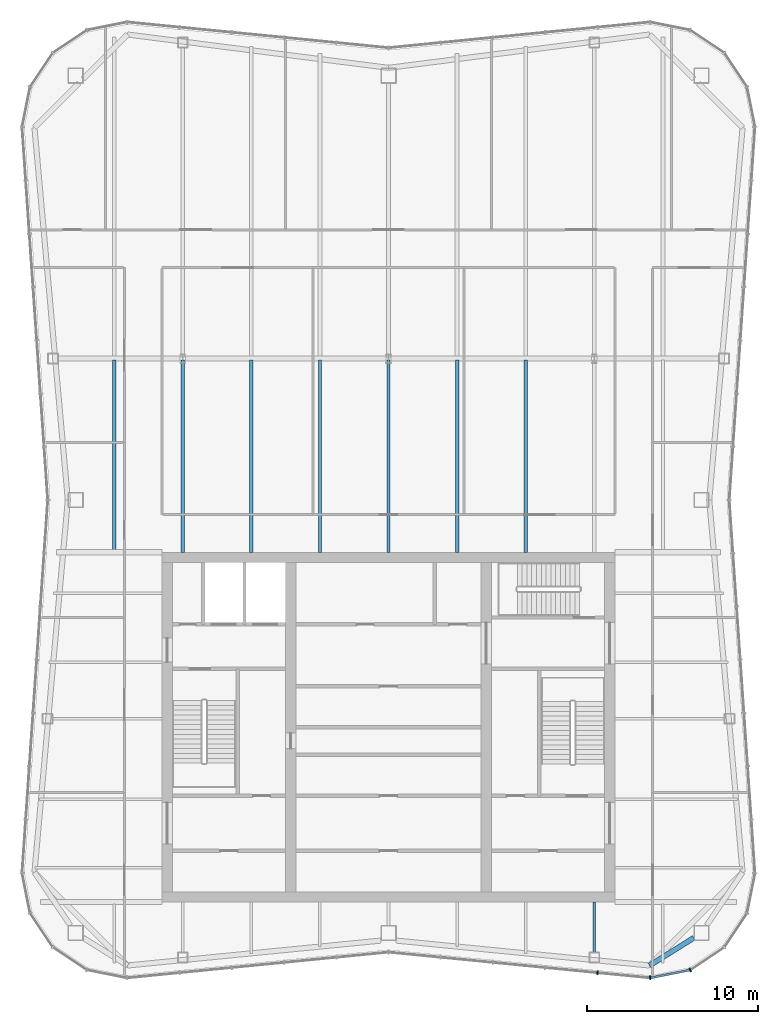
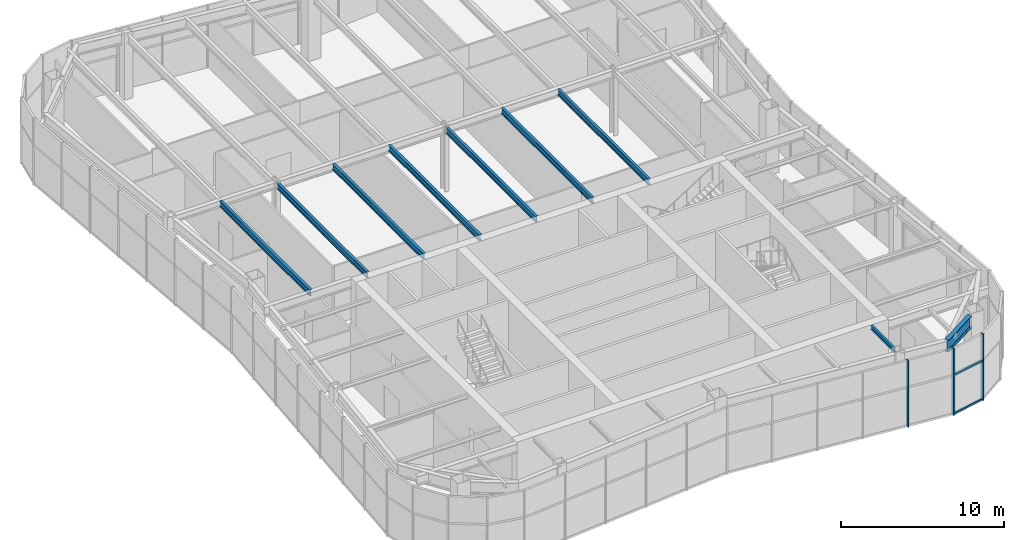
# One storey, part 4 of 13: 9 beams, 5 members, 2 elements without a shape of their own.
"""IFC4 building model written with IfcOpenShell, lengths in metres."""

import ifcopenshell
import ifcopenshell.guid

model = None  # the IFC model being written
_history = None  # IfcOwnerHistory: only IFC2X3 demands one
_inside = {}  # id of a spatial element -> (the spatial element, [elements in it])
_under = {}  # id of a project, library or spatial element -> (it, [spatial elements below it])
_declared = {}  # id of a project -> (the project, [libraries it declares])
_typed = {}  # id of a type object -> (the type object, [elements of that type])
_made_of = {}  # id of a material, layer set ... -> (it, [elements and type objects made of it])


def new_model(schema):
    """Start an empty IFC model of exactly this schema.

    Asked for "IFC4X3", IfcOpenShell would pick the latest addendum, in which some entities
    have other attributes; the version numbers below select the first issue.
    IFC2X3 requires an IfcOwnerHistory on every rooted entity: one is made here for all.
    """
    global model, _history
    if schema == "IFC4X3":
        model = ifcopenshell.file(schema_version=(4, 3, 0, 0))
    else:
        model = ifcopenshell.file(schema=schema)
    _inside.clear()
    _under.clear()
    _declared.clear()
    _typed.clear()
    _made_of.clear()
    _history = None
    if model.schema == "IFC2X3":
        org = make("IfcOrganization", Name="unknown")
        user = make(
            "IfcPersonAndOrganization",
            ThePerson=make("IfcPerson", FamilyName="unknown"),
            TheOrganization=org,
        )
        app = make(
            "IfcApplication",
            ApplicationDeveloper=org,
            Version="unknown",
            ApplicationFullName="unknown",
            ApplicationIdentifier="unknown",
        )
        _history = make(
            "IfcOwnerHistory",
            OwningUser=user,
            OwningApplication=app,
            ChangeAction="ADDED",
            CreationDate=0,
        )
    return model


def make(cls, **values):
    """One entity of the class cls with the attributes given. An attribute that is None is left unset."""
    return model.create_entity(
        cls, **{name: value for name, value in values.items() if value is not None}
    )


def rooted(cls, **values):
    """An entity with a GlobalId (a new one), such as an element, a storey or a relation."""
    return make(cls, GlobalId=ifcopenshell.guid.new(), OwnerHistory=_history, **values)


def si_unit(unit_type, name, prefix=None):
    """IfcSIUnit, for example si_unit("LENGTHUNIT", "METRE", prefix="MILLI")."""
    return make("IfcSIUnit", UnitType=unit_type, Prefix=prefix, Name=name)


def assignment(units):
    """IfcUnitAssignment: the units of a project."""
    return None if units is None else make("IfcUnitAssignment", Units=units)


def point(xyz):
    """IfcCartesianPoint."""
    return None if xyz is None else make("IfcCartesianPoint", Coordinates=xyz)


def direction(xyz):
    """IfcDirection."""
    return None if xyz is None else make("IfcDirection", DirectionRatios=xyz)


def frame(location, z_axis=None, x_axis=None):
    """IfcAxis2Placement3D, a coordinate frame: its origin and axes. An axis left out is left unset."""
    return make(
        "IfcAxis2Placement3D",
        Location=point(location),
        Axis=direction(z_axis),
        RefDirection=direction(x_axis),
    )


def frame_2d(location, x_axis=None):
    """IfcAxis2Placement2D, a coordinate frame in the plane: its origin and x axis."""
    return make(
        "IfcAxis2Placement2D", Location=point(location), RefDirection=direction(x_axis)
    )


def origin():
    """The frame at (0, 0, 0) with its axes left unset."""
    return frame((0.0, 0.0, 0.0))


def origin_2d():
    """The frame at (0, 0) in the plane with its x axis left unset."""
    return frame_2d((0.0, 0.0))


def place(relative_to, where):
    """IfcLocalPlacement: puts the frame where relative to a parent placement (None: the world)."""
    return make(
        "IfcLocalPlacement", PlacementRelTo=relative_to, RelativePlacement=where
    )


def context(
    kind, dimensions, precision=None, world=None, true_north=None, identifier=None
):
    """IfcGeometricRepresentationContext, for example the 3D "Model" context."""
    return make(
        "IfcGeometricRepresentationContext",
        ContextIdentifier=identifier,
        ContextType=kind,
        CoordinateSpaceDimension=dimensions,
        Precision=precision,
        WorldCoordinateSystem=world,
        TrueNorth=true_north,
    )


def subcontext(parent, identifier, kind, view, scale=None):
    """IfcGeometricRepresentationSubContext, for example "Body" below "Model"."""
    return make(
        "IfcGeometricRepresentationSubContext",
        ContextIdentifier=identifier,
        ContextType=kind,
        ParentContext=parent,
        TargetScale=scale,
        TargetView=view,
    )


def project(units=None, contexts=None):
    """IfcProject with its units and contexts."""
    return rooted(
        "IfcProject",
        Name="project",
        RepresentationContexts=contexts,
        UnitsInContext=assignment(units),
    )


def spatial(cls, under=None, at=None, **own):
    """A site, building, storey or space (cls), placed at a placement, below another one or the project."""
    s = rooted(cls, ObjectPlacement=at, **own)
    if under is not None:
        _under.setdefault(under.id(), (under, []))[1].append(s)
    return s


def profile(cls, at=None, kind="AREA", **sizes):
    """A parametric profile (cls). Its sizes go by their IFC names, for example OverallWidth=200.0."""
    return make(cls, ProfileType=kind, Position=at, **sizes)


def rectangle(**sizes):
    """IfcRectangleProfileDef."""
    return profile("IfcRectangleProfileDef", **sizes)


def i_section(**sizes):
    """IfcIShapeProfileDef."""
    return profile("IfcIShapeProfileDef", **sizes)


def extrude(swept, where, along, depth):
    """IfcExtrudedAreaSolid: the profile swept, set in the frame where, extruded along a direction by depth."""
    return make(
        "IfcExtrudedAreaSolid",
        SweptArea=swept,
        Position=where,
        ExtrudedDirection=direction(along),
        Depth=depth,
    )


def shape(context_of_items, identifier, shape_type, items):
    """IfcShapeRepresentation: the items that make up one representation, for example the "Body"."""
    return make(
        "IfcShapeRepresentation",
        ContextOfItems=context_of_items,
        RepresentationIdentifier=identifier,
        RepresentationType=shape_type,
        Items=items,
    )


def material(Name=None, Category=None):
    """IfcMaterial."""
    return make("IfcMaterial", Name=Name, Category=Category)


def material_profile(
    of_material, cross_section, Name=None, Category=None, Priority=None
):
    """IfcMaterialProfile: a cross section and its material."""
    return make(
        "IfcMaterialProfile",
        Name=Name,
        Material=of_material,
        Profile=cross_section,
        Priority=Priority,
        Category=Category,
    )


def profile_set(profiles, Name=None, composite=None):
    """IfcMaterialProfileSet."""
    return make(
        "IfcMaterialProfileSet",
        Name=Name,
        MaterialProfiles=profiles,
        CompositeProfile=composite,
    )


def made_of(thing, what):
    """Note that an element or type object is made of a material, layer set ...; save() writes the relation."""
    if what is not None:
        _made_of.setdefault(what.id(), (what, []))[1].append(thing)
    return thing


def type_object(cls, material=None, **own):
    """A type object (cls), such as IfcWallType, which elements share."""
    return made_of(rooted(cls, **own), material)


def element(
    cls,
    number,
    at=None,
    inside=None,
    cuts=None,
    type_object=None,
    material=None,
    context=None,
    identifier="Body",
    shape_type=None,
    held_by="IfcProductDefinitionShape",
    body=None,
    shapes=None,
    **own,
):
    """One element of the class cls, such as IfcWall. Its Tag is "e" and its number.

    at: its placement. inside: the storey or other place that contains it. cuts: it is an
    opening in that element (IfcRelVoidsElement). A single representation is given by context,
    identifier, shape_type and body (its items); several are given by shapes. held_by: the class
    of the entity that holds the representations. save() writes the other relations.
    """
    e = rooted(cls, Tag="e%d" % number, ObjectPlacement=at, **own)
    if body is not None:
        shapes = [shape(context, identifier, shape_type, body)]
    if shapes is not None:
        e.Representation = make(held_by, Representations=shapes)
    if inside is not None:
        _inside.setdefault(inside.id(), (inside, []))[1].append(e)
    if cuts is not None:
        rooted(
            "IfcRelVoidsElement", RelatingBuildingElement=cuts, RelatedOpeningElement=e
        )
    if type_object is not None:
        _typed.setdefault(type_object.id(), (type_object, []))[1].append(e)
    return made_of(e, material)


def aggregate(whole, parts):
    """IfcRelAggregates: a whole, such as a stair, and the parts it consists of."""
    return rooted("IfcRelAggregates", RelatingObject=whole, RelatedObjects=parts)


def save(model, path):
    """Write the relations noted so far, then the file.

    IfcRelAggregates (storeys below a building ...), IfcRelContainedInSpatialStructure (elements
    in a storey), IfcRelDefinesByType, IfcRelAssociatesMaterial and IfcRelDeclares: one each for
    every whole, place, type object, material and project.
    """
    for whole, parts in _under.values():
        aggregate(whole, parts)
    for where, things in _inside.values():
        rooted(
            "IfcRelContainedInSpatialStructure",
            RelatedElements=things,
            RelatingStructure=where,
        )
    for kind, things in _typed.values():
        rooted("IfcRelDefinesByType", RelatedObjects=things, RelatingType=kind)
    for what, things in _made_of.values():
        rooted("IfcRelAssociatesMaterial", RelatedObjects=things, RelatingMaterial=what)
    for by, libraries in _declared.values():
        rooted("IfcRelDeclares", RelatingContext=by, RelatedDefinitions=libraries)
    model.write(path)


model = new_model("IFC4")

# Units and contexts
model_context = context("Model", 3, precision=1e-05, world=origin(), true_north=direction((0.0, 1.0)))
body_context = subcontext(model_context, "Body", "Model", "MODEL_VIEW")
ifc_project = project(units=[si_unit("LENGTHUNIT", "METRE"), si_unit("AREAUNIT", "SQUARE_METRE"), si_unit("VOLUMEUNIT", "CUBIC_METRE"), si_unit("PLANEANGLEUNIT", "RADIAN"), si_unit("MASSUNIT", "GRAM", prefix="KILO")], contexts=[model_context])

# Site, building, storey
site_placement = place(None, origin())
site = spatial("IfcSite", under=ifc_project, at=site_placement, CompositionType="ELEMENT")
building_placement = place(site_placement, origin())
building = spatial("IfcBuilding", under=site, at=building_placement, Name="Verdant Reach Tower", CompositionType="ELEMENT")
storey_placement = place(building_placement, frame((0.0, 0.0, 349.5)))
storey = spatial("IfcBuildingStorey", under=building, at=storey_placement, Name="L79 Plant", CompositionType="ELEMENT", Elevation=349.5)

# Curtain wall, members
ifc_material_1 = material(Name="Anodised aluminium", Category="aluminium")
curtain_wall_type = type_object("IfcCurtainWallType", Name="EN-CW SYSTEM PLANT", PredefinedType="NOTDEFINED", material=ifc_material_1)
curtain_wall_1_placement = place(storey_placement, origin())
curtain_wall_1 = element("IfcCurtainWall", 1, at=curtain_wall_1_placement, inside=storey, type_object=curtain_wall_type, Name="Curtain wall south-east corner, L79", PredefinedType="NOTDEFINED")
ifc_material_profile_1 = material_profile(ifc_material_1, rectangle(XDim=0.238037109375, YDim=0.080078125, at=origin_2d()), Name="Mullion 80x240")
ifc_profile_set_1 = profile_set([ifc_material_profile_1], Name="Anodised aluminium")
member_type_1 = type_object("IfcMemberType", Name="EN-MULLION PLANT", PredefinedType="MULLION", material=ifc_profile_set_1)
member_1_placement = place(storey_placement, frame((15.255859375, 13.381103515625, -0.35009765625), z_axis=(0.0, 0.0, 1.0), x_axis=(0.049127596288, -0.998792510626, 0.0)))
member_1 = element("IfcMember", 2, at=member_1_placement, type_object=member_type_1, Name="Mullion south-east corner 1, L79", PredefinedType="MULLION", context=body_context, shape_type="SweptSolid", body=[
    extrude(rectangle(XDim=0.238037109375, YDim=0.080078125, at=origin_2d()), origin(), (0.0, 0.0, 1.0), 5.0),
])
member_2_placement = place(storey_placement, frame((17.591552734375, 13.8466796875, -0.35009765625), z_axis=(0.0, 0.0, 1.0), x_axis=(0.382693853776, -0.923875215753, 0.0)))
member_2 = element("IfcMember", 3, at=member_2_placement, type_object=member_type_1, Name="Mullion south-east corner 2, L79", PredefinedType="MULLION", context=body_context, shape_type="SweptSolid", body=[
    extrude(rectangle(XDim=0.238037109375, YDim=0.080078125, at=origin_2d()), origin(), (0.0, 0.0, 1.0), 5.0),
])

# Curtain wall, member
curtain_wall_2_placement = place(storey_placement, origin())
curtain_wall_2 = element("IfcCurtainWall", 4, at=curtain_wall_2_placement, inside=storey, type_object=curtain_wall_type, Name="Curtain wall south, L79", PredefinedType="NOTDEFINED")
member_3_placement = place(storey_placement, frame((12.188232421875, 13.681640625, -0.35009765625), z_axis=(0.0, 0.0, 1.0), x_axis=(-0.09788826992, -0.995197410875, 0.0)))
member_3 = element("IfcMember", 5, at=member_3_placement, type_object=member_type_1, Name="Mullion south face part 2 5, L79", PredefinedType="MULLION", context=body_context, shape_type="SweptSolid", body=[
    extrude(rectangle(XDim=0.238037109375, YDim=0.080078125, at=origin_2d()), origin(), (0.0, 0.0, 1.0), 5.0),
])
aggregate(curtain_wall_2, [member_3])

# Member
ifc_material_profile_2 = material_profile(ifc_material_1, rectangle(XDim=0.1201171875, YDim=0.14990234375, at=origin_2d()), Name="Transom 150x120")
ifc_profile_set_2 = profile_set([ifc_material_profile_2], Name="Anodised aluminium")
member_type_2 = type_object("IfcMemberType", Name="EN-TRANSOM PLANT", PredefinedType="USERDEFINED", material=ifc_profile_set_2)
member_4_placement = place(storey_placement, frame((15.295166015625, 13.388916015625, -0.27490234375), z_axis=(0.980706937788, 0.195483764476, 0.0), x_axis=(-0.195483764476, 0.980706937788, 0.0)))
member_4 = element("IfcMember", 6, at=member_4_placement, type_object=member_type_2, Name="Transom south-east corner 1.1, L79", ObjectType="TRANSOM", PredefinedType="USERDEFINED", context=body_context, shape_type="SweptSolid", body=[
    extrude(rectangle(XDim=0.1201171875, YDim=0.14990234375, at=origin_2d()), origin(), (0.0, 0.0, 1.0), 2.3017578125),
])

member_5_placement = place(storey_placement, frame((15.295166015625, 13.388916015625, 2.64990234375), z_axis=(0.980706937788, 0.195483764476, 0.0), x_axis=(-0.195483764476, 0.980706937788, 0.0)))
member_5 = element("IfcMember", 7, at=member_5_placement, type_object=member_type_2, Name="Transom south-east corner 1.2, L79", ObjectType="TRANSOM", PredefinedType="USERDEFINED", context=body_context, shape_type="SweptSolid", body=[
    extrude(rectangle(XDim=0.1201171875, YDim=0.14990234375, at=origin_2d()), origin(), (0.0, 0.0, 1.0), 2.3017578125),
])

aggregate(curtain_wall_1, [member_1, member_2, member_4, member_5])

# Beams
ifc_material_2 = material(Name="Steel S355", Category="steel")
ifc_material_profile_3 = material_profile(ifc_material_2, i_section(OverallWidth=0.302001953125, OverallDepth=0.909912109375, WebThickness=0.02099609375, FlangeThickness=0.0400390625, FilletRadius=0.030029296875, at=origin_2d()), Name="HEM 900")
ifc_profile_set_3 = profile_set([ifc_material_profile_3], Name="Steel S355")
beam_type_1 = type_object("IfcBeamType", Name="ST-BEAM-HEM900", PredefinedType="BEAM", material=ifc_profile_set_3)
beam_1_placement = place(storey_placement, frame((17.800048828125, 15.71875, 4.39501953125), z_axis=(-0.847903624467, -0.530150397166, 0.0), x_axis=(0.530150397166, -0.847903624467, 0.0)))
element("IfcBeam", 8, at=beam_1_placement, inside=storey, type_object=beam_type_1, Name="Column stub beam, L79 Plant", PredefinedType="BEAM", context=body_context, shape_type="SweptSolid", body=[
    extrude(i_section(OverallWidth=0.302001953125, OverallDepth=0.909912109375, WebThickness=0.02099609375, FlangeThickness=0.0400390625, FilletRadius=0.030029296875, at=origin_2d()), origin(), (0.0, 0.0, 1.0), 3.042724609375),
])
ifc_material_profile_4 = material_profile(ifc_material_2, i_section(OverallWidth=0.14990234375, OverallDepth=0.300048828125, WebThickness=0.007080078125, FlangeThickness=0.0107421875, FilletRadius=0.014892578125, at=origin_2d()), Name="IPE 300")
ifc_profile_set_4 = profile_set([ifc_material_profile_4], Name="Steel S355")
beam_type_2 = type_object("IfcBeamType", Name="ST-JOIST-IPE300", PredefinedType="JOIST", material=ifc_profile_set_4)
beam_2_placement = place(storey_placement, frame((12.0, 17.800048828125, 4.699951171875), z_axis=(0.0, -1.0, 0.0), x_axis=(1.0, 0.0, 0.0)))
element("IfcBeam", 9, at=beam_2_placement, inside=storey, type_object=beam_type_2, Name="Floor joist, L79 Plant", PredefinedType="JOIST", context=body_context, shape_type="SweptSolid", body=[
    extrude(i_section(OverallWidth=0.14990234375, OverallDepth=0.300048828125, WebThickness=0.007080078125, FlangeThickness=0.0107421875, FilletRadius=0.014892578125, at=origin_2d()), origin(), (0.0, 0.0, 1.0), 2.930419921875),
])
ifc_material_profile_5 = material_profile(ifc_material_2, i_section(OverallWidth=0.18994140625, OverallDepth=0.449951171875, WebThickness=0.009521484375, FlangeThickness=0.0146484375, FilletRadius=0.02099609375, at=origin_2d()), Name="IPE 450")
ifc_profile_set_5 = profile_set([ifc_material_profile_5], Name="Steel S355")
beam_type_3 = type_object("IfcBeamType", Name="ST-JOIST-IPE450", PredefinedType="JOIST", material=ifc_profile_set_5)
beam_3_placement = place(storey_placement, frame((-16.0, 38.300048828125, 4.625), z_axis=(0.0, 1.0, 0.0), x_axis=(-1.0, 0.0, 0.0)))
element("IfcBeam", 10, at=beam_3_placement, inside=storey, type_object=beam_type_3, Name="Floor joist, L79 Plant", PredefinedType="JOIST", context=body_context, shape_type="SweptSolid", body=[
    extrude(i_section(OverallWidth=0.18994140625, OverallDepth=0.449951171875, WebThickness=0.009521484375, FlangeThickness=0.0146484375, FilletRadius=0.02099609375, at=origin_2d()), origin(), (0.0, 0.0, 1.0), 11.099853515625),
])
for number, where, z_axis, x_axis, name in (
    (11, (-12.0, 38.199951171875, 4.625), (0.0, 1.0, 0.0), (-1.0, 0.0, 0.0), "Floor joist, L79 Plant"),
    (12, (-8.0, 38.199951171875, 4.625), (0.0, 1.0, 0.0), (-1.0, 0.0, 0.0), "Floor joist, L79 Plant"),
    (13, (-4.0, 38.199951171875, 4.625), (0.0, 1.0, 0.0), (-1.0, 0.0, 0.0), "Floor joist, L79 Plant"),
    (14, (0.0, 38.199951171875, 4.625), (0.0, 1.0, 0.0), (-1.0, 0.0, 0.0), "Floor joist, L79 Plant"),
    (15, (4.0, 38.199951171875, 4.625), (0.0, 1.0, 0.0), (-1.0, 0.0, 0.0), "Floor joist, L79 Plant"),
    (16, (8.0, 38.199951171875, 4.625), (0.0, 1.0, 0.0), (-1.0, 0.0, 0.0), "Floor joist, L79 Plant"),
):
    element("IfcBeam", number, at=place(storey_placement, frame(where, z_axis=z_axis, x_axis=x_axis)), inside=storey, type_object=beam_type_3, Name=name, PredefinedType="JOIST", context=body_context, shape_type="SweptSolid", body=[
        extrude(i_section(OverallWidth=0.18994140625, OverallDepth=0.449951171875, WebThickness=0.009521484375, FlangeThickness=0.0146484375, FilletRadius=0.02099609375, at=origin_2d()), origin(), (0.0, 0.0, 1.0), 11.199951171875),
    ])

save(model, "model.ifc")
